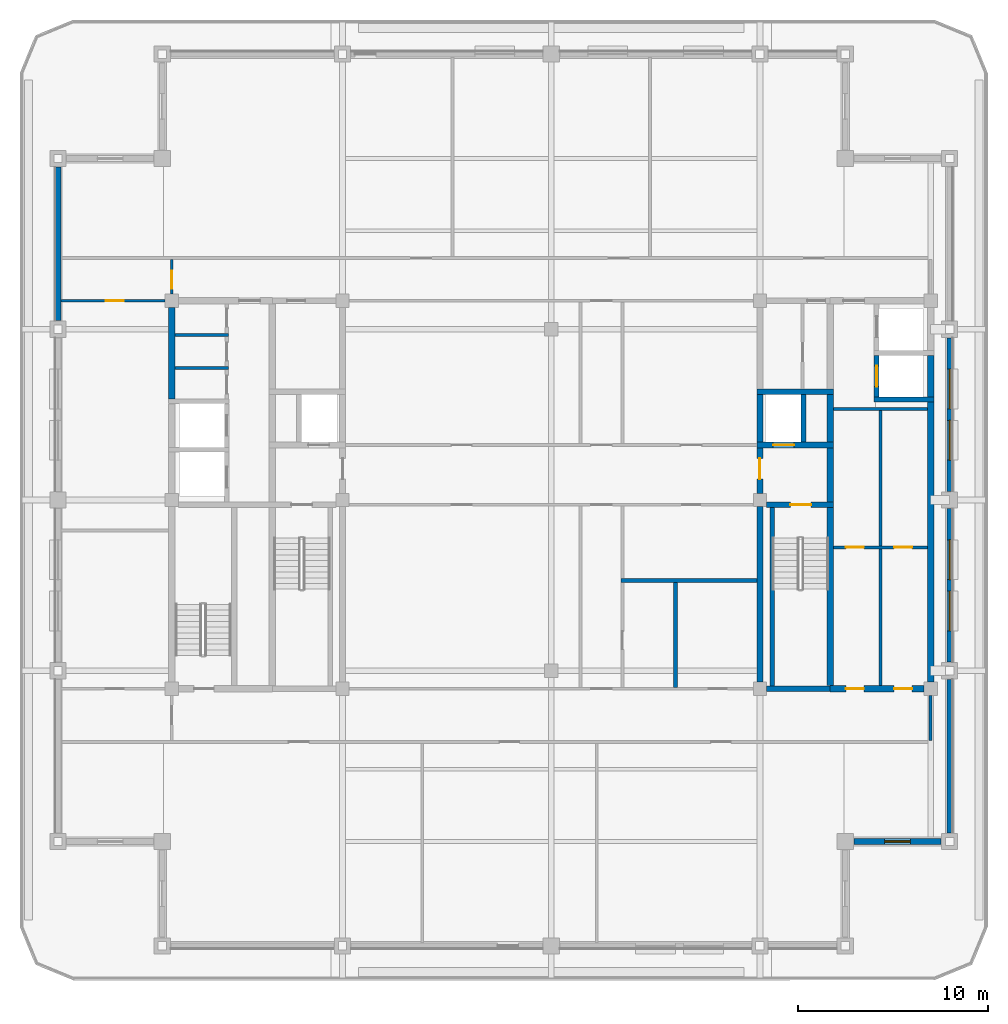
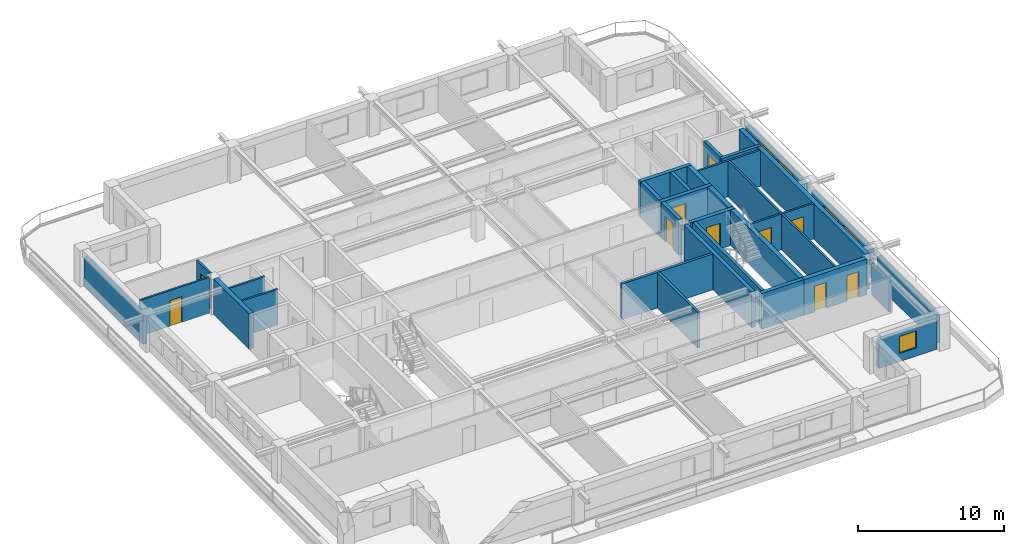
# One storey, part 4 of 11: 34 walls, 10 doors, 5 windows, 15 openings.
"""IFC4 building model written with IfcOpenShell, lengths in metres."""

from ifc_helpers import new_model, si_unit, direction, frame, frame_2d, origin, place, context, subcontext, project, spatial, rectangle, extrude, material, layer, layer_set, type_object, element, fill, save


model = new_model("IFC4")

# Units and contexts
model_context = context("Model", 3, precision=1e-05, world=origin(), true_north=direction((0.0, 1.0)))
body_context = subcontext(model_context, "Body", "Model", "MODEL_VIEW")
ifc_project = project(units=[si_unit("LENGTHUNIT", "METRE"), si_unit("AREAUNIT", "SQUARE_METRE"), si_unit("VOLUMEUNIT", "CUBIC_METRE"), si_unit("PLANEANGLEUNIT", "RADIAN"), si_unit("MASSUNIT", "GRAM", prefix="KILO")], contexts=[model_context])

# Site, building, storey
site_placement = place(None, origin())
site = spatial("IfcSite", under=ifc_project, at=site_placement, CompositionType="ELEMENT")
building_placement = place(site_placement, origin())
building = spatial("IfcBuilding", under=site, at=building_placement, Name="Zulmaris Gate Convention Tower", CompositionType="ELEMENT")
storey_placement = place(building_placement, frame((0.0, 0.0, 257.659912109375)))
storey = spatial("IfcBuildingStorey", under=building, at=storey_placement, Name="L68", CompositionType="ELEMENT", Elevation=257.659912109375)

# Walls
ifc_material_1 = material(Name="Concrete C50/60", Category="concrete")
ifc_layer_1 = layer(ifc_material_1, 0.25, Name="Concrete C50/60")
ifc_layer_set_1 = layer_set([ifc_layer_1], Name="Concrete C50/60")
wall_type_1 = type_object("IfcWallType", Name="CORE-250", PredefinedType="SOLIDWALL", material=ifc_layer_set_1)
wall_1_placement = place(storey_placement, frame((17.02490234375, 5.300048828125, 0.0), z_axis=(0.0, 0.0, 1.0), x_axis=(1.0, 0.0, 0.0)))
element("IfcWall", 1, at=wall_1_placement, inside=storey, type_object=wall_type_1, Name="WL-L68-011", PredefinedType="SOLIDWALL", context=body_context, shape_type="SweptSolid", body=[
    extrude(rectangle(XDim=3.150146484375, YDim=0.25, at=frame_2d((1.5751953125, 0.0))), origin(), (0.0, 0.0, 1.0), 2.97998046875),
])
wall_2_placement = place(storey_placement, frame((11.64990234375, -9.798095703125, 0.0), z_axis=(0.0, 0.0, 1.0), x_axis=(0.0, 1.0, 0.0)))
element("IfcWall", 2, at=wall_2_placement, inside=storey, type_object=wall_type_1, Name="WL-L68-054", PredefinedType="SOLIDWALL", context=body_context, shape_type="SweptSolid", body=[
    extrude(rectangle(XDim=9.39599609375, YDim=0.25, at=frame_2d((4.697998046875, 0.0))), origin(), (0.0, 0.0, 1.0), 2.97998046875),
])
wall_3_placement = place(storey_placement, frame((13.300048828125, 3.052001953125, 0.0), z_axis=(0.0, 0.0, 1.0), x_axis=(0.0, 1.0, 0.0)))
element("IfcWall", 3, at=wall_3_placement, inside=storey, type_object=wall_type_1, Name="WL-L68-055", PredefinedType="SOLIDWALL", context=body_context, shape_type="SweptSolid", body=[
    extrude(rectangle(XDim=2.49609375, YDim=0.25, at=frame_2d((1.248046875, 0.0))), origin(), (0.0, 0.0, 1.0), 2.97998046875),
])

# Wall, opening, door
wall_4_placement = place(storey_placement, frame((17.14990234375, 5.427001953125, 0.0), z_axis=(0.0, 0.0, 1.0), x_axis=(0.0, 1.0, 0.0)))
wall_4 = element("IfcWall", 4, at=wall_4_placement, inside=storey, type_object=wall_type_1, Name="WL-L68-060", PredefinedType="SOLIDWALL", context=body_context, shape_type="SweptSolid", body=[
    extrude(rectangle(XDim=2.196044921875, YDim=0.25, at=frame_2d((1.09814453125, 0.0))), origin(), (0.0, 0.0, 1.0), 2.97998046875),
])
opening_1_placement = place(wall_4_placement, frame((0.548095703125, 0.0, 0.0)))
opening_1 = element("IfcOpeningElement", 5, at=opening_1_placement, cuts=wall_4, Name="Opening D-06", PredefinedType="OPENING", context=body_context, shape_type="SweptSolid", body=[
    extrude(rectangle(XDim=1.10009765625, YDim=2.199951171875, at=frame_2d((0.550048828125, 1.10009765625))), frame((0.0, 0.135009765625, 0.0), z_axis=(0.0, -1.0, 0.0), x_axis=(1.0, 0.0, 0.0)), (0.0, 0.0, 1.0), 0.27001953125),
])
ifc_material_2 = material(Name="Brushed Stainless Steel", Category="steel")
door_type_1 = type_object("IfcDoorType", Name="LD-1100", OperationType="NOTDEFINED", PredefinedType="DOOR", material=ifc_material_2)
door_1_placement = place(opening_1_placement, origin())
door_1 = element("IfcDoor", 6, at=door_1_placement, inside=storey, type_object=door_type_1, Name="L68 Lift Landing Door HP-01 17", OperationType="SLIDING_TO_RIGHT", OverallHeight=2.199951171875, OverallWidth=1.10009765625, PredefinedType="DOOR", context=body_context, shape_type="SweptSolid", body=[
    extrude(rectangle(XDim=1.10009765625, YDim=2.199951171875, at=frame_2d((0.550048828125, 1.10009765625))), frame((0.0, 0.02490234375, 0.0), z_axis=(0.0, -1.0, 0.0), x_axis=(1.0, 0.0, 0.0)), (0.0, 0.0, 1.0), 0.050048828125),
])
fill(opening_1, door_1)

# Wall
ifc_layer_2 = layer(ifc_material_1, 0.300048828125, Name="Concrete C50/60")
ifc_layer_set_2 = layer_set([ifc_layer_2], Name="Concrete C50/60")
wall_type_2 = type_object("IfcWallType", Name="CORE-300", PredefinedType="SHEAR", material=ifc_layer_set_2)
wall_5_placement = place(storey_placement, frame((11.35400390625, -9.949951171875, 0.0), z_axis=(0.0, 0.0, 1.0), x_axis=(1.0, 0.0, 0.0)))
element("IfcWall", 7, at=wall_5_placement, inside=storey, type_object=wall_type_2, Name="WL-L68-003", PredefinedType="SHEAR", context=body_context, shape_type="SweptSolid", body=[
    extrude(rectangle(XDim=3.345947265625, YDim=0.300048828125, at=frame_2d((1.6728515625, 0.0))), origin(), (0.0, 0.0, 1.0), 2.97998046875),
])

# Wall, opening, door
wall_6_placement = place(storey_placement, frame((11.35400390625, -0.25, 0.0), z_axis=(0.0, 0.0, 1.0), x_axis=(1.0, 0.0, 0.0)))
wall_6 = element("IfcWall", 8, at=wall_6_placement, inside=storey, type_object=wall_type_2, Name="WL-L68-006", PredefinedType="SHEAR", context=body_context, shape_type="SweptSolid", body=[
    extrude(rectangle(XDim=3.52099609375, YDim=0.300048828125, at=frame_2d((1.760498046875, 0.0))), origin(), (0.0, 0.0, 1.0), 2.97998046875),
])
opening_2_placement = place(wall_6_placement, frame((1.24609375, 0.0, 0.0)))
opening_2 = element("IfcOpeningElement", 9, at=opening_2_placement, cuts=wall_6, Name="Opening D-08", PredefinedType="OPENING", context=body_context, shape_type="SweptSolid", body=[
    extrude(rectangle(XDim=1.10009765625, YDim=2.14990234375, at=frame_2d((0.550048828125, 1.074951171875))), frame((0.0, 0.16015625, 0.0), z_axis=(0.0, -1.0, 0.0), x_axis=(1.0, 0.0, 0.0)), (0.0, 0.0, 1.0), 0.320068359375),
])
ifc_material_3 = material(Name="Fire-Rated Steel", Category="steel")
door_type_2 = type_object("IfcDoorType", Name="DR-1100-FD", OperationType="NOTDEFINED", PredefinedType="DOOR", material=ifc_material_3)
door_2_placement = place(opening_2_placement, origin())
door_2 = element("IfcDoor", 10, at=door_2_placement, inside=storey, type_object=door_type_2, Name="L68 Exit Stair ST-2 Door 04", OperationType="SINGLE_SWING_LEFT", OverallHeight=2.14990234375, OverallWidth=1.10009765625, PredefinedType="DOOR", context=body_context, shape_type="SweptSolid", body=[
    extrude(rectangle(XDim=1.10009765625, YDim=2.14990234375, at=frame_2d((0.550048828125, 1.074951171875))), frame((0.0, 0.02490234375, 0.0), z_axis=(0.0, -1.0, 0.0), x_axis=(1.0, 0.0, 0.0)), (0.0, 0.0, 1.0), 0.050048828125),
])
fill(opening_2, door_2)

wall_7_placement = place(storey_placement, frame((10.85009765625, 2.89990234375, 0.0), z_axis=(0.0, 0.0, 1.0), x_axis=(1.0, 0.0, 0.0)))
wall_7 = element("IfcWall", 11, at=wall_7_placement, inside=storey, type_object=wall_type_2, Name="WL-L68-009", PredefinedType="SHEAR", context=body_context, shape_type="SweptSolid", body=[
    extrude(rectangle(XDim=4.02490234375, YDim=0.300048828125, at=frame_2d((2.012451171875, 0.0))), origin(), (0.0, 0.0, 1.0), 2.97998046875),
])
opening_3_placement = place(wall_7_placement, frame((0.85009765625, 0.0, 0.0)))
opening_3 = element("IfcOpeningElement", 12, at=opening_3_placement, cuts=wall_7, Name="Opening D-06", PredefinedType="OPENING", context=body_context, shape_type="SweptSolid", body=[
    extrude(rectangle(XDim=1.10009765625, YDim=2.199951171875, at=frame_2d((0.550048828125, 1.10009765625))), frame((0.0, 0.16015625, 0.0), z_axis=(0.0, -1.0, 0.0), x_axis=(1.0, 0.0, 0.0)), (0.0, 0.0, 1.0), 0.320068359375),
])
door_3_placement = place(opening_3_placement, origin())
door_3 = element("IfcDoor", 13, at=door_3_placement, inside=storey, type_object=door_type_1, Name="L68 Lift Landing Door LF-02 06", OperationType="SLIDING_TO_RIGHT", OverallHeight=2.199951171875, OverallWidth=1.10009765625, PredefinedType="DOOR", context=body_context, shape_type="SweptSolid", body=[
    extrude(rectangle(XDim=1.10009765625, YDim=2.199951171875, at=frame_2d((0.550048828125, 1.10009765625))), frame((0.0, 0.02490234375, 0.0), z_axis=(0.0, -1.0, 0.0), x_axis=(1.0, 0.0, 0.0)), (0.0, 0.0, 1.0), 0.050048828125),
])
fill(opening_3, door_3)

# Walls
wall_8_placement = place(storey_placement, frame((10.85009765625, 5.699951171875, 0.0), z_axis=(0.0, 0.0, 1.0), x_axis=(1.0, 0.0, 0.0)))
element("IfcWall", 14, at=wall_8_placement, inside=storey, type_object=wall_type_2, Name="WL-L68-013", PredefinedType="SHEAR", context=body_context, shape_type="SweptSolid", body=[
    extrude(rectangle(XDim=4.02490234375, YDim=0.300048828125, at=frame_2d((2.012451171875, 0.0))), origin(), (0.0, 0.0, 1.0), 2.97998046875),
])
wall_9_placement = place(storey_placement, frame((11.0, -9.595947265625, 0.0), z_axis=(0.0, 0.0, 1.0), x_axis=(0.0, 1.0, 0.0)))
element("IfcWall", 15, at=wall_9_placement, inside=storey, type_object=wall_type_2, Name="WL-L68-050", PredefinedType="SHEAR", context=body_context, shape_type="SweptSolid", body=[
    extrude(rectangle(XDim=9.241943359375, YDim=0.300048828125, at=frame_2d((4.62109375, 0.0))), origin(), (0.0, 0.0, 1.0), 2.97998046875),
])

# Wall, opening, door
wall_10_placement = place(storey_placement, frame((11.0, 0.35400390625, 0.0), z_axis=(0.0, 0.0, 1.0), x_axis=(0.0, 1.0, 0.0)))
wall_10 = element("IfcWall", 16, at=wall_10_placement, inside=storey, type_object=wall_type_2, Name="WL-L68-051", PredefinedType="SHEAR", context=body_context, shape_type="SweptSolid", body=[
    extrude(rectangle(XDim=2.39404296875, YDim=0.300048828125, at=frame_2d((1.197021484375, 0.0))), origin(), (0.0, 0.0, 1.0), 2.97998046875),
])
opening_4_placement = place(wall_10_placement, frame((0.74609375, 0.0, 0.0)))
opening_4 = element("IfcOpeningElement", 17, at=opening_4_placement, cuts=wall_10, Name="Opening D-08", PredefinedType="OPENING", context=body_context, shape_type="SweptSolid", body=[
    extrude(rectangle(XDim=1.10009765625, YDim=2.14990234375, at=frame_2d((0.550048828125, 1.074951171875))), frame((0.0, 0.16015625, 0.0), z_axis=(0.0, -1.0, 0.0), x_axis=(1.0, 0.0, 0.0)), (0.0, 0.0, 1.0), 0.320068359375),
])
door_4_placement = place(opening_4_placement, origin())
door_4 = element("IfcDoor", 18, at=door_4_placement, inside=storey, type_object=door_type_2, Name="L68 East Firefighting Lobby Door 05", OperationType="SINGLE_SWING_RIGHT", OverallHeight=2.14990234375, OverallWidth=1.10009765625, PredefinedType="DOOR", context=body_context, shape_type="SweptSolid", body=[
    extrude(rectangle(XDim=1.10009765625, YDim=2.14990234375, at=frame_2d((0.550048828125, 1.074951171875))), frame((0.0, 0.02490234375, 0.0), z_axis=(0.0, -1.0, 0.0), x_axis=(1.0, 0.0, 0.0)), (0.0, 0.0, 1.0), 0.050048828125),
])
fill(opening_4, door_4)

# Wall
wall_11_placement = place(storey_placement, frame((11.0, 3.052001953125, 0.0), z_axis=(0.0, 0.0, 1.0), x_axis=(0.0, 1.0, 0.0)))
element("IfcWall", 19, at=wall_11_placement, inside=storey, type_object=wall_type_2, Name="WL-L68-052", PredefinedType="SHEAR", context=body_context, shape_type="SweptSolid", body=[
    extrude(rectangle(XDim=2.49609375, YDim=0.300048828125, at=frame_2d((1.248046875, 0.0))), origin(), (0.0, 0.0, 1.0), 2.97998046875),
])

# Wall, openings, doors
ifc_material_4 = material(Name="Concrete C55/67", Category="concrete")
ifc_layer_3 = layer(ifc_material_4, 0.35009765625, Name="Concrete C55/67")
ifc_layer_set_3 = layer_set([ifc_layer_3], Name="Concrete C55/67")
wall_type_3 = type_object("IfcWallType", Name="CORE-350", PredefinedType="SHEAR", material=ifc_layer_set_3)
wall_12_placement = place(storey_placement, frame((14.699951171875, -9.949951171875, 0.0), z_axis=(0.0, 0.0, 1.0), x_axis=(1.0, 0.0, 0.0)))
wall_12 = element("IfcWall", 20, at=wall_12_placement, inside=storey, type_object=wall_type_3, Name="WL-L68-004", PredefinedType="SHEAR", context=body_context, shape_type="SweptSolid", body=[
    extrude(rectangle(XDim=4.946044921875, YDim=0.35009765625, at=frame_2d((2.47314453125, 0.0))), origin(), (0.0, 0.0, 1.0), 2.97998046875),
])
opening_5_placement = place(wall_12_placement, frame((0.824951171875, 0.0, 0.0)))
opening_5 = element("IfcOpeningElement", 21, at=opening_5_placement, cuts=wall_12, Name="Opening D-11", PredefinedType="OPENING", context=body_context, shape_type="SweptSolid", body=[
    extrude(rectangle(XDim=0.949951171875, YDim=2.14990234375, at=frame_2d((0.47509765625, 1.074951171875))), frame((0.0, 0.18505859375, 0.0), z_axis=(0.0, -1.0, 0.0), x_axis=(1.0, 0.0, 0.0)), (0.0, 0.0, 1.0), 0.3701171875),
])
opening_6_placement = place(wall_12_placement, frame((3.375, 0.0, 0.0)))
opening_6 = element("IfcOpeningElement", 22, at=opening_6_placement, cuts=wall_12, Name="Opening D-11", PredefinedType="OPENING", context=body_context, shape_type="SweptSolid", body=[
    extrude(rectangle(XDim=0.949951171875, YDim=2.14990234375, at=frame_2d((0.47509765625, 1.074951171875))), frame((0.0, 0.18505859375, 0.0), z_axis=(0.0, -1.0, 0.0), x_axis=(1.0, 0.0, 0.0)), (0.0, 0.0, 1.0), 0.3701171875),
])
ifc_material_5 = material(Name="Fire-Rated Timber", Category="wood")
door_type_3 = type_object("IfcDoorType", Name="DR-950-FD", OperationType="NOTDEFINED", PredefinedType="DOOR", material=ifc_material_5)
door_5_placement = place(opening_5_placement, origin())
door_5 = element("IfcDoor", 23, at=door_5_placement, inside=storey, type_object=door_type_3, Name="L68 Staff WC Door 20", OperationType="SINGLE_SWING_RIGHT", OverallHeight=2.14990234375, OverallWidth=0.949951171875, PredefinedType="DOOR", context=body_context, shape_type="SweptSolid", body=[
    extrude(rectangle(XDim=0.949951171875, YDim=2.14990234375, at=frame_2d((0.47509765625, 1.074951171875))), frame((0.0, 0.02490234375, 0.0), z_axis=(0.0, -1.0, 0.0), x_axis=(1.0, 0.0, 0.0)), (0.0, 0.0, 1.0), 0.050048828125),
])
fill(opening_5, door_5)
door_6_placement = place(opening_6_placement, origin())
door_6 = element("IfcDoor", 24, at=door_6_placement, inside=storey, type_object=door_type_3, Name="L68 Vending Room Door 22", OperationType="SINGLE_SWING_RIGHT", OverallHeight=2.14990234375, OverallWidth=0.949951171875, PredefinedType="DOOR", context=body_context, shape_type="SweptSolid", body=[
    extrude(rectangle(XDim=0.949951171875, YDim=2.14990234375, at=frame_2d((0.47509765625, 1.074951171875))), frame((0.0, 0.02490234375, 0.0), z_axis=(0.0, -1.0, 0.0), x_axis=(1.0, 0.0, 0.0)), (0.0, 0.0, 1.0), 0.050048828125),
])
fill(opening_6, door_6)

# Walls
wall_13_placement = place(storey_placement, frame((-20.0, 5.326904296875, 0.0), z_axis=(0.0, 0.0, 1.0), x_axis=(0.0, 1.0, 0.0)))
element("IfcWall", 25, at=wall_13_placement, inside=storey, type_object=wall_type_3, Name="WL-L68-036", PredefinedType="SHEAR", context=body_context, shape_type="SweptSolid", body=[
    extrude(rectangle(XDim=4.819091796875, YDim=0.35009765625, at=frame_2d((2.40966796875, 0.0))), origin(), (0.0, 0.0, 1.0), 2.97998046875),
])
wall_14_placement = place(storey_placement, frame((14.699951171875, -9.77294921875, 0.0), z_axis=(0.0, 0.0, 1.0), x_axis=(0.0, 1.0, 0.0)))
element("IfcWall", 26, at=wall_14_placement, inside=storey, type_object=wall_type_3, Name="WL-L68-056", PredefinedType="SHEAR", context=body_context, shape_type="SweptSolid", body=[
    extrude(rectangle(XDim=9.370849609375, YDim=0.35009765625, at=frame_2d((4.685546875, 0.0))), origin(), (0.0, 0.0, 1.0), 2.97998046875),
])
wall_15_placement = place(storey_placement, frame((14.699951171875, -0.097900390625, 0.0), z_axis=(0.0, 0.0, 1.0), x_axis=(0.0, 1.0, 0.0)))
element("IfcWall", 27, at=wall_15_placement, inside=storey, type_object=wall_type_3, Name="WL-L68-057", PredefinedType="SHEAR", context=body_context, shape_type="SweptSolid", body=[
    extrude(rectangle(XDim=2.845947265625, YDim=0.35009765625, at=frame_2d((1.4228515625, 0.0))), origin(), (0.0, 0.0, 1.0), 2.97998046875),
])
wall_16_placement = place(storey_placement, frame((14.699951171875, 3.052001953125, 0.0), z_axis=(0.0, 0.0, 1.0), x_axis=(0.0, 1.0, 0.0)))
element("IfcWall", 28, at=wall_16_placement, inside=storey, type_object=wall_type_3, Name="WL-L68-058", PredefinedType="SHEAR", context=body_context, shape_type="SweptSolid", body=[
    extrude(rectangle(XDim=2.49609375, YDim=0.35009765625, at=frame_2d((1.248046875, 0.0))), origin(), (0.0, 0.0, 1.0), 2.97998046875),
])
wall_17_placement = place(storey_placement, frame((20.0, -9.595947265625, 0.0), z_axis=(0.0, 0.0, 1.0), x_axis=(0.0, 1.0, 0.0)))
element("IfcWall", 29, at=wall_17_placement, inside=storey, type_object=wall_type_3, Name="WL-L68-062", PredefinedType="SHEAR", context=body_context, shape_type="SweptSolid", body=[
    extrude(rectangle(XDim=14.76904296875, YDim=0.35009765625, at=frame_2d((7.384521484375, 0.0))), origin(), (0.0, 0.0, 1.0), 2.97998046875),
])
wall_18_placement = place(storey_placement, frame((20.0, 5.427001953125, 0.0), z_axis=(0.0, 0.0, 1.0), x_axis=(0.0, 1.0, 0.0)))
element("IfcWall", 30, at=wall_18_placement, inside=storey, type_object=wall_type_3, Name="WL-L68-063", PredefinedType="SHEAR", context=body_context, shape_type="SweptSolid", body=[
    extrude(rectangle(XDim=2.196044921875, YDim=0.35009765625, at=frame_2d((1.09814453125, 0.0))), origin(), (0.0, 0.0, 1.0), 2.97998046875),
])

# Wall, openings, doors
ifc_material_6 = material(Name="Gypsum Metal Stud Partition")
ifc_layer_4 = layer(ifc_material_6, 0.14990234375, Name="Gypsum Metal Stud Partition")
ifc_layer_set_4 = layer_set([ifc_layer_4], Name="Gypsum Metal Stud Partition")
wall_type_4 = type_object("IfcWallType", Name="PART-150", PredefinedType="PARTITIONING", material=ifc_layer_set_4)
wall_19_placement = place(storey_placement, frame((14.8779296875, -2.5, 0.0), z_axis=(0.0, 0.0, 1.0), x_axis=(1.0, 0.0, 0.0)))
wall_19 = element("IfcWall", 31, at=wall_19_placement, inside=storey, type_object=wall_type_4, Name="WL-L68-023", PredefinedType="PARTITIONING", context=body_context, shape_type="SweptSolid", body=[
    extrude(rectangle(XDim=4.944091796875, YDim=0.14990234375, at=frame_2d((2.47216796875, 0.0))), origin(), (0.0, 0.0, 1.0), 2.97998046875),
])
opening_7_placement = place(wall_19_placement, frame((0.64697265625, 0.0, 0.0)))
opening_7 = element("IfcOpeningElement", 32, at=opening_7_placement, cuts=wall_19, Name="Opening D-11", PredefinedType="OPENING", context=body_context, shape_type="SweptSolid", body=[
    extrude(rectangle(XDim=0.949951171875, YDim=2.14990234375, at=frame_2d((0.47509765625, 1.074951171875))), frame((0.0, 0.0849609375, 0.0), z_axis=(0.0, -1.0, 0.0), x_axis=(1.0, 0.0, 0.0)), (0.0, 0.0, 1.0), 0.169921875),
])
opening_8_placement = place(wall_19_placement, frame((3.197021484375, 0.0, 0.0)))
opening_8 = element("IfcOpeningElement", 33, at=opening_8_placement, cuts=wall_19, Name="Opening D-11", PredefinedType="OPENING", context=body_context, shape_type="SweptSolid", body=[
    extrude(rectangle(XDim=0.949951171875, YDim=2.14990234375, at=frame_2d((0.47509765625, 1.074951171875))), frame((0.0, 0.0849609375, 0.0), z_axis=(0.0, -1.0, 0.0), x_axis=(1.0, 0.0, 0.0)), (0.0, 0.0, 1.0), 0.169921875),
])
door_7_placement = place(opening_7_placement, origin())
door_7 = element("IfcDoor", 34, at=door_7_placement, inside=storey, type_object=door_type_3, Name="L68 Locker Store Door 21", OperationType="SINGLE_SWING_LEFT", OverallHeight=2.14990234375, OverallWidth=0.949951171875, PredefinedType="DOOR", context=body_context, shape_type="SweptSolid", body=[
    extrude(rectangle(XDim=0.949951171875, YDim=2.14990234375, at=frame_2d((0.47509765625, 1.074951171875))), frame((0.0, 0.02490234375, 0.0), z_axis=(0.0, -1.0, 0.0), x_axis=(1.0, 0.0, 0.0)), (0.0, 0.0, 1.0), 0.050048828125),
])
fill(opening_7, door_7)
door_8_placement = place(opening_8_placement, origin())
door_8 = element("IfcDoor", 35, at=door_8_placement, inside=storey, type_object=door_type_3, Name="L68 Ice Store Door 23", OperationType="SINGLE_SWING_LEFT", OverallHeight=2.14990234375, OverallWidth=0.949951171875, PredefinedType="DOOR", context=body_context, shape_type="SweptSolid", body=[
    extrude(rectangle(XDim=0.949951171875, YDim=2.14990234375, at=frame_2d((0.47509765625, 1.074951171875))), frame((0.0, 0.02490234375, 0.0), z_axis=(0.0, -1.0, 0.0), x_axis=(1.0, 0.0, 0.0)), (0.0, 0.0, 1.0), 0.050048828125),
])
fill(opening_8, door_8)

# Walls
wall_20_placement = place(storey_placement, frame((14.8779296875, 4.800048828125, 0.0), z_axis=(0.0, 0.0, 1.0), x_axis=(1.0, 0.0, 0.0)))
element("IfcWall", 36, at=wall_20_placement, inside=storey, type_object=wall_type_4, Name="WL-L68-027", PredefinedType="PARTITIONING", context=body_context, shape_type="SweptSolid", body=[
    extrude(rectangle(XDim=4.944091796875, YDim=0.14990234375, at=frame_2d((2.47216796875, 0.0))), origin(), (0.0, 0.0, 1.0), 2.97998046875),
])
for number, where, z_axis, x_axis, name in (
    (37, (-19.822021484375, 6.949951171875, 0.0), (0.0, 0.0, 1.0), (1.0, 0.0, 0.0), "WL-L68-028"),
    (38, (-19.822021484375, 8.699951171875, 0.0), (0.0, 0.0, 1.0), (1.0, 0.0, 0.0), "WL-L68-029"),
):
    element("IfcWall", number, at=place(storey_placement, frame(where, z_axis=z_axis, x_axis=x_axis)), inside=storey, type_object=wall_type_4, Name=name, PredefinedType="PARTITIONING", context=body_context, shape_type="SweptSolid", body=[
        extrude(rectangle(XDim=2.822021484375, YDim=0.14990234375, at=frame_2d((1.4111328125, 0.0))), origin(), (0.0, 0.0, 1.0), 2.97998046875),
    ])

# Wall, opening, door
wall_21_placement = place(storey_placement, frame((-25.8349609375, 10.5, 0.0), z_axis=(0.0, 0.0, 1.0), x_axis=(1.0, 0.0, 0.0)))
wall_21 = element("IfcWall", 39, at=wall_21_placement, inside=storey, type_object=wall_type_4, Name="WL-L68-030", PredefinedType="PARTITIONING", context=body_context, shape_type="SweptSolid", body=[
    extrude(rectangle(XDim=5.47900390625, YDim=0.14990234375, at=frame_2d((2.739501953125, 0.0))), origin(), (0.0, 0.0, 1.0), 2.97998046875),
])
opening_9_placement = place(wall_21_placement, frame((2.360107421875, 0.0, 0.0)))
opening_9 = element("IfcOpeningElement", 40, at=opening_9_placement, cuts=wall_21, Name="Opening D-11", PredefinedType="OPENING", context=body_context, shape_type="SweptSolid", body=[
    extrude(rectangle(XDim=0.949951171875, YDim=2.14990234375, at=frame_2d((0.47509765625, 1.074951171875))), frame((0.0, 0.0849609375, 0.0), z_axis=(0.0, -1.0, 0.0), x_axis=(1.0, 0.0, 0.0)), (0.0, 0.0, 1.0), 0.169921875),
])
door_9_placement = place(opening_9_placement, origin())
door_9 = element("IfcDoor", 41, at=door_9_placement, inside=storey, type_object=door_type_3, Name="L68 NW Partner Door 42", OperationType="SINGLE_SWING_RIGHT", OverallHeight=2.14990234375, OverallWidth=0.949951171875, PredefinedType="DOOR", context=body_context, shape_type="SweptSolid", body=[
    extrude(rectangle(XDim=0.949951171875, YDim=2.14990234375, at=frame_2d((0.47509765625, 1.074951171875))), frame((0.0, 0.02490234375, 0.0), z_axis=(0.0, -1.0, 0.0), x_axis=(1.0, 0.0, 0.0)), (0.0, 0.0, 1.0), 0.050048828125),
])
fill(opening_9, door_9)

wall_22_placement = place(storey_placement, frame((-20.0, 10.85595703125, 0.0), z_axis=(0.0, 0.0, 1.0), x_axis=(0.0, 1.0, 0.0)))
wall_22 = element("IfcWall", 42, at=wall_22_placement, inside=storey, type_object=wall_type_4, Name="WL-L68-066", PredefinedType="PARTITIONING", context=body_context, shape_type="SweptSolid", body=[
    extrude(rectangle(XDim=1.816162109375, YDim=0.14990234375, at=frame_2d((0.908203125, 0.0))), origin(), (0.0, 0.0, 1.0), 2.97998046875),
])
opening_10_placement = place(wall_22_placement, frame((0.2890625, 0.0, 0.0)))
opening_10 = element("IfcOpeningElement", 43, at=opening_10_placement, cuts=wall_22, Name="Opening D-11", PredefinedType="OPENING", context=body_context, shape_type="SweptSolid", body=[
    extrude(rectangle(XDim=0.949951171875, YDim=2.14990234375, at=frame_2d((0.47509765625, 1.074951171875))), frame((0.0, 0.0849609375, 0.0), z_axis=(0.0, -1.0, 0.0), x_axis=(1.0, 0.0, 0.0)), (0.0, 0.0, 1.0), 0.169921875),
])
door_10_placement = place(opening_10_placement, origin())
door_10 = element("IfcDoor", 44, at=door_10_placement, inside=storey, type_object=door_type_3, Name="L68 NW Spur Door 40", OperationType="SINGLE_SWING_RIGHT", OverallHeight=2.14990234375, OverallWidth=0.949951171875, PredefinedType="DOOR", context=body_context, shape_type="SweptSolid", body=[
    extrude(rectangle(XDim=0.949951171875, YDim=2.14990234375, at=frame_2d((0.47509765625, 1.074951171875))), frame((0.0, 0.02490234375, 0.0), z_axis=(0.0, -1.0, 0.0), x_axis=(1.0, 0.0, 0.0)), (0.0, 0.0, 1.0), 0.050048828125),
])
fill(opening_10, door_10)

# Walls
wall_23_placement = place(storey_placement, frame((17.35009765625, -9.77197265625, 0.0), z_axis=(0.0, 0.0, 1.0), x_axis=(0.0, 1.0, 0.0)))
element("IfcWall", 45, at=wall_23_placement, inside=storey, type_object=wall_type_4, Name="WL-L68-081", PredefinedType="PARTITIONING", context=body_context, shape_type="SweptSolid", body=[
    extrude(rectangle(XDim=7.194091796875, YDim=0.14990234375, at=frame_2d((3.59716796875, 0.0))), origin(), (0.0, 0.0, 1.0), 2.97998046875),
])
wall_24_placement = place(storey_placement, frame((17.35009765625, -2.422119140625, 0.0), z_axis=(0.0, 0.0, 1.0), x_axis=(0.0, 1.0, 0.0)))
element("IfcWall", 46, at=wall_24_placement, inside=storey, type_object=wall_type_4, Name="WL-L68-082", PredefinedType="PARTITIONING", context=body_context, shape_type="SweptSolid", body=[
    extrude(rectangle(XDim=7.14404296875, YDim=0.14990234375, at=frame_2d((3.572021484375, 0.0))), origin(), (0.0, 0.0, 1.0), 2.97998046875),
])
wall_25_placement = place(storey_placement, frame((20.0, -12.672119140625, 0.0), z_axis=(0.0, 0.0, 1.0), x_axis=(0.0, 1.0, 0.0)))
element("IfcWall", 47, at=wall_25_placement, inside=storey, type_object=wall_type_4, Name="WL-L68-083", PredefinedType="PARTITIONING", context=body_context, shape_type="SweptSolid", body=[
    extrude(rectangle(XDim=2.3662109375, YDim=0.14990234375, at=frame_2d((1.18310546875, 0.0))), origin(), (0.0, 0.0, 1.0), 2.570068359375),
])
ifc_material_7 = material(Name="Autoclaved Aerated Concrete Block and Plasterboard", Category="concrete")
ifc_layer_5 = layer(ifc_material_7, 0.199951171875, Name="Autoclaved Aerated Concrete Block and Plasterboard")
ifc_layer_set_5 = layer_set([ifc_layer_5], Name="Autoclaved Aerated Concrete Block and Plasterboard")
wall_type_5 = type_object("IfcWallType", Name="PART-200", PredefinedType="PARTITIONING", material=ifc_layer_set_5)
wall_26_placement = place(storey_placement, frame((3.675048828125, -4.25, 0.0), z_axis=(0.0, 0.0, 1.0), x_axis=(1.0, 0.0, 0.0)))
element("IfcWall", 48, at=wall_26_placement, inside=storey, type_object=wall_type_5, Name="WL-L68-022", PredefinedType="PARTITIONING", context=body_context, shape_type="SweptSolid", body=[
    extrude(rectangle(XDim=7.171875, YDim=0.199951171875, at=frame_2d((3.5859375, 0.0))), origin(), (0.0, 0.0, 1.0), 2.97998046875),
])
wall_27_placement = place(storey_placement, frame((6.550048828125, -9.8720703125, 0.0), z_axis=(0.0, 0.0, 1.0), x_axis=(0.0, 1.0, 0.0)))
element("IfcWall", 49, at=wall_27_placement, inside=storey, type_object=wall_type_5, Name="WL-L68-079", PredefinedType="PARTITIONING", context=body_context, shape_type="SweptSolid", body=[
    extrude(rectangle(XDim=5.51904296875, YDim=0.199951171875, at=frame_2d((2.759521484375, 0.0))), origin(), (0.0, 0.0, 1.0), 2.97998046875),
])

# Wall, opening, window
ifc_material_8 = material(Name="Precast concrete C40/50", Category="concrete")
ifc_layer_6 = layer(ifc_material_8, 0.300048828125, Name="Precast concrete C40/50")
ifc_layer_set_6 = layer_set([ifc_layer_6], Name="Precast concrete C40/50")
wall_type_6 = type_object("IfcWallType", Name="PRECAST-PIER-300", PredefinedType="STANDARD", material=ifc_layer_set_6)
wall_28_placement = place(storey_placement, frame((15.955078125, -18.0, 0.0), z_axis=(0.0, 0.0, 1.0), x_axis=(1.0, 0.0, 0.0)))
wall_28 = element("IfcWall", 50, at=wall_28_placement, inside=storey, type_object=wall_type_6, Name="EW-L68-NOTCH-SE2_0", PredefinedType="STANDARD", context=body_context, shape_type="SweptSolid", body=[
    extrude(rectangle(XDim=4.58984375, YDim=0.300048828125, at=frame_2d((2.294921875, 0.0))), origin(), (0.0, 0.0, 1.0), 2.3720703125),
])
opening_11_placement = place(wall_28_placement, frame((1.6201171875, 0.0, 0.679931640625)))
opening_11 = element("IfcOpeningElement", 51, at=opening_11_placement, cuts=wall_28, Name="Opening W-10", PredefinedType="OPENING", context=body_context, shape_type="SweptSolid", body=[
    extrude(rectangle(XDim=1.35009765625, YDim=1.419921875, at=frame_2d((0.675048828125, 0.7099609375))), frame((0.0, 0.16015625, 0.0), z_axis=(0.0, -1.0, 0.0), x_axis=(1.0, 0.0, 0.0)), (0.0, 0.0, 1.0), 0.320068359375),
])
ifc_material_9 = material(Name="Low-E Laminated Double Glazing in Aluminium Frame", Category="aluminium")
window_type_1 = type_object("IfcWindowType", Name="WIN-1350x2000", PartitioningType="SINGLE_PANEL", PredefinedType="WINDOW", material=ifc_material_9)
window_1_placement = place(opening_11_placement, origin())
window_1 = element("IfcWindow", 52, at=window_1_placement, inside=storey, type_object=window_type_1, Name="WN-EW-L68-NOTCH-SE2_0", OverallHeight=1.419921875, OverallWidth=1.35009765625, PartitioningType="SINGLE_PANEL", PredefinedType="WINDOW", context=body_context, shape_type="SweptSolid", body=[
    extrude(rectangle(XDim=1.35009765625, YDim=1.419921875, at=frame_2d((0.675048828125, 0.7099609375))), frame((0.0, 0.030029296875, 0.0), z_axis=(0.0, -1.0, 0.0), x_axis=(1.0, 0.0, 0.0)), (0.0, 0.0, 1.0), 0.06005859375),
])
fill(opening_11, window_1)

# Wall
wall_29_placement = place(storey_placement, frame((21.0, -17.544921875, 0.0), z_axis=(0.0, 0.0, 1.0), x_axis=(0.0, 1.0, 0.0)))
element("IfcWall", 53, at=wall_29_placement, inside=storey, type_object=wall_type_6, Name="EW-L68-E-0_0", PredefinedType="STANDARD", context=body_context, shape_type="SweptSolid", body=[
    extrude(rectangle(XDim=8.08984375, YDim=0.300048828125, at=frame_2d((4.044921875, 0.0))), origin(), (0.0, 0.0, 1.0), 2.3720703125),
])

# Wall, openings, windows
wall_30_placement = place(storey_placement, frame((21.0, -8.544921875, 0.0), z_axis=(0.0, 0.0, 1.0), x_axis=(0.0, 1.0, 0.0)))
wall_30 = element("IfcWall", 54, at=wall_30_placement, inside=storey, type_object=wall_type_6, Name="EW-L68-E-1_0", PredefinedType="STANDARD", context=body_context, shape_type="SweptSolid", body=[
    extrude(rectangle(XDim=8.08984375, YDim=0.300048828125, at=frame_2d((4.044921875, 0.0))), origin(), (0.0, 0.0, 1.0), 2.3720703125),
])
opening_12_placement = place(wall_30_placement, frame((1.64697265625, 0.0, 0.699951171875)))
opening_12 = element("IfcOpeningElement", 55, at=opening_12_placement, cuts=wall_30, Name="Opening W-05", PredefinedType="OPENING", context=body_context, shape_type="SweptSolid", body=[
    extrude(rectangle(XDim=2.10009765625, YDim=1.5, at=frame_2d((1.050048828125, 0.75))), frame((0.0, 0.16015625, 0.0), z_axis=(0.0, -1.0, 0.0), x_axis=(1.0, 0.0, 0.0)), (0.0, 0.0, 1.0), 0.320068359375),
])
opening_13_placement = place(wall_30_placement, frame((4.343017578125, 0.0, 0.699951171875)))
opening_13 = element("IfcOpeningElement", 56, at=opening_13_placement, cuts=wall_30, Name="Opening W-05", PredefinedType="OPENING", context=body_context, shape_type="SweptSolid", body=[
    extrude(rectangle(XDim=2.10009765625, YDim=1.5, at=frame_2d((1.050048828125, 0.75))), frame((0.0, 0.16015625, 0.0), z_axis=(0.0, -1.0, 0.0), x_axis=(1.0, 0.0, 0.0)), (0.0, 0.0, 1.0), 0.320068359375),
])
window_type_2 = type_object("IfcWindowType", Name="WIN-2100x2400", PartitioningType="SINGLE_PANEL", PredefinedType="WINDOW", material=ifc_material_9)
window_2_placement = place(opening_12_placement, origin())
window_2 = element("IfcWindow", 57, at=window_2_placement, inside=storey, type_object=window_type_2, Name="WN-EW-L68-E-1_0-1", OverallHeight=1.5, OverallWidth=2.10009765625, PartitioningType="SINGLE_PANEL", PredefinedType="WINDOW", context=body_context, shape_type="SweptSolid", body=[
    extrude(rectangle(XDim=2.10009765625, YDim=1.5, at=frame_2d((1.050048828125, 0.75))), frame((0.0, 0.030029296875, 0.0), z_axis=(0.0, -1.0, 0.0), x_axis=(1.0, 0.0, 0.0)), (0.0, 0.0, 1.0), 0.06005859375),
])
fill(opening_12, window_2)
window_3_placement = place(opening_13_placement, origin())
window_3 = element("IfcWindow", 58, at=window_3_placement, inside=storey, type_object=window_type_2, Name="WN-EW-L68-E-1_0-2", OverallHeight=1.5, OverallWidth=2.10009765625, PartitioningType="SINGLE_PANEL", PredefinedType="WINDOW", context=body_context, shape_type="SweptSolid", body=[
    extrude(rectangle(XDim=2.10009765625, YDim=1.5, at=frame_2d((1.050048828125, 0.75))), frame((0.0, 0.030029296875, 0.0), z_axis=(0.0, -1.0, 0.0), x_axis=(1.0, 0.0, 0.0)), (0.0, 0.0, 1.0), 0.06005859375),
])
fill(opening_13, window_3)

wall_31_placement = place(storey_placement, frame((21.0, 0.455078125, 0.0), z_axis=(0.0, 0.0, 1.0), x_axis=(0.0, 1.0, 0.0)))
wall_31 = element("IfcWall", 59, at=wall_31_placement, inside=storey, type_object=wall_type_6, Name="EW-L68-E-2_0", PredefinedType="STANDARD", context=body_context, shape_type="SweptSolid", body=[
    extrude(rectangle(XDim=8.08984375, YDim=0.300048828125, at=frame_2d((4.044921875, 0.0))), origin(), (0.0, 0.0, 1.0), 2.3720703125),
])
opening_14_placement = place(wall_31_placement, frame((1.64697265625, 0.0, 0.699951171875)))
opening_14 = element("IfcOpeningElement", 60, at=opening_14_placement, cuts=wall_31, Name="Opening W-05", PredefinedType="OPENING", context=body_context, shape_type="SweptSolid", body=[
    extrude(rectangle(XDim=2.10009765625, YDim=1.5, at=frame_2d((1.050048828125, 0.75))), frame((0.0, 0.16015625, 0.0), z_axis=(0.0, -1.0, 0.0), x_axis=(1.0, 0.0, 0.0)), (0.0, 0.0, 1.0), 0.320068359375),
])
opening_15_placement = place(wall_31_placement, frame((4.343017578125, 0.0, 0.699951171875)))
opening_15 = element("IfcOpeningElement", 61, at=opening_15_placement, cuts=wall_31, Name="Opening W-05", PredefinedType="OPENING", context=body_context, shape_type="SweptSolid", body=[
    extrude(rectangle(XDim=2.10009765625, YDim=1.5, at=frame_2d((1.050048828125, 0.75))), frame((0.0, 0.16015625, 0.0), z_axis=(0.0, -1.0, 0.0), x_axis=(1.0, 0.0, 0.0)), (0.0, 0.0, 1.0), 0.320068359375),
])
window_4_placement = place(opening_14_placement, origin())
window_4 = element("IfcWindow", 62, at=window_4_placement, inside=storey, type_object=window_type_2, Name="WN-EW-L68-E-2_0-1", OverallHeight=1.5, OverallWidth=2.10009765625, PartitioningType="SINGLE_PANEL", PredefinedType="WINDOW", context=body_context, shape_type="SweptSolid", body=[
    extrude(rectangle(XDim=2.10009765625, YDim=1.5, at=frame_2d((1.050048828125, 0.75))), frame((0.0, 0.030029296875, 0.0), z_axis=(0.0, -1.0, 0.0), x_axis=(1.0, 0.0, 0.0)), (0.0, 0.0, 1.0), 0.06005859375),
])
fill(opening_14, window_4)
window_5_placement = place(opening_15_placement, origin())
window_5 = element("IfcWindow", 63, at=window_5_placement, inside=storey, type_object=window_type_2, Name="WN-EW-L68-E-2_0-2", OverallHeight=1.5, OverallWidth=2.10009765625, PartitioningType="SINGLE_PANEL", PredefinedType="WINDOW", context=body_context, shape_type="SweptSolid", body=[
    extrude(rectangle(XDim=2.10009765625, YDim=1.5, at=frame_2d((1.050048828125, 0.75))), frame((0.0, 0.030029296875, 0.0), z_axis=(0.0, -1.0, 0.0), x_axis=(1.0, 0.0, 0.0)), (0.0, 0.0, 1.0), 0.06005859375),
])
fill(opening_15, window_5)

# Wall
wall_32_placement = place(storey_placement, frame((-26.0, 17.544921875, 0.0), z_axis=(0.0, 0.0, 1.0), x_axis=(0.0, -1.0, 0.0)))
element("IfcWall", 64, at=wall_32_placement, inside=storey, type_object=wall_type_6, Name="EW-L68-W-3_0", PredefinedType="STANDARD", context=body_context, shape_type="SweptSolid", body=[
    extrude(rectangle(XDim=8.08984375, YDim=0.300048828125, at=frame_2d((4.044921875, 0.0))), origin(), (0.0, 0.0, 1.0), 2.3720703125),
])

save(model, "model.ifc")
